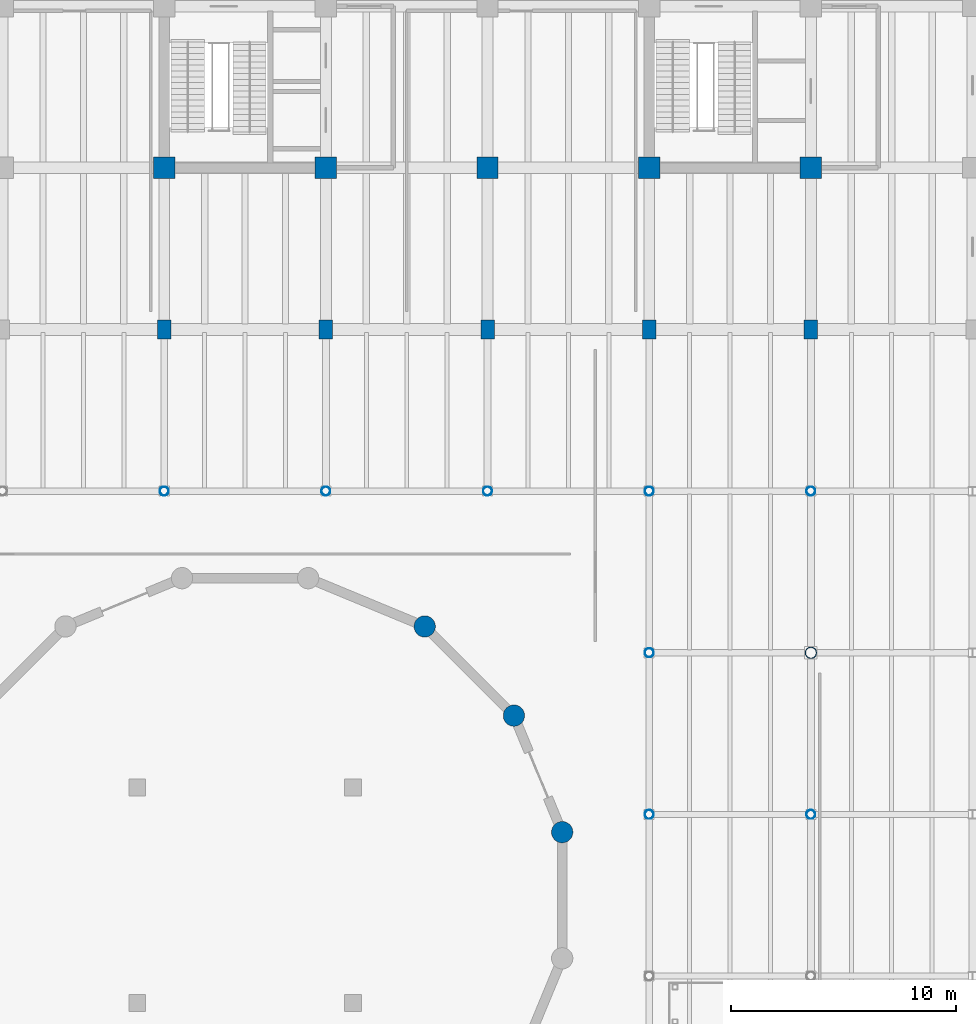
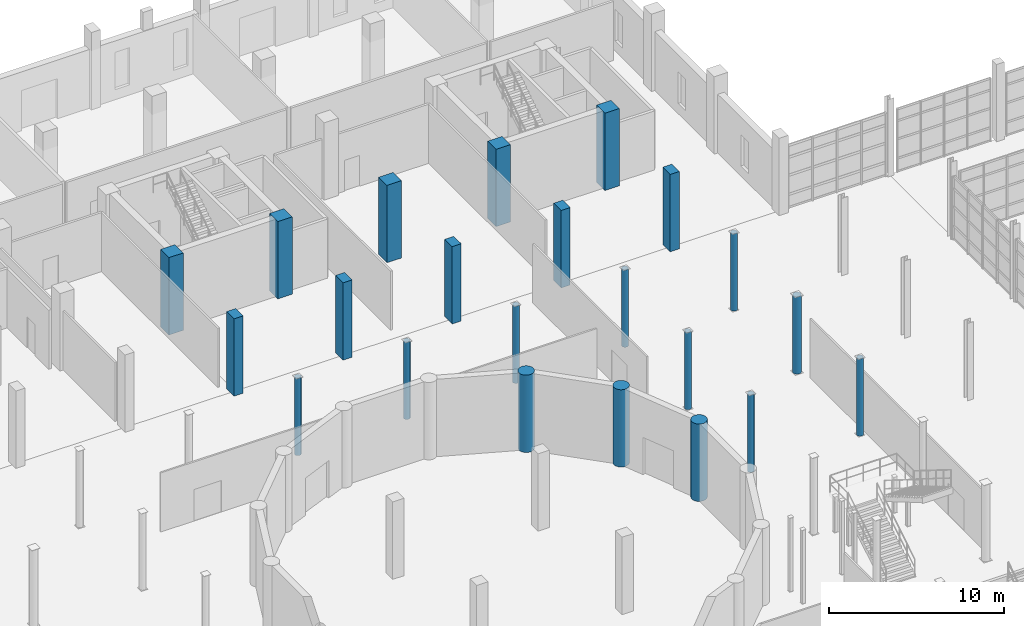
# One storey, part 12 of 79: 22 columns.
"""IFC4 building model written with IfcOpenShell, lengths in metres."""

from ifc_helpers import new_model, si_unit, direction, frame, origin, origin_2d, place, context, subcontext, project, spatial, rectangle, circle, hollow_circle, extrude, material, material_profile, profile_set, type_object, element, save


model = new_model("IFC4")

# Units and contexts
model_context = context("Model", 3, precision=1e-05, world=origin(), true_north=direction((0.0, 1.0)))
body_context = subcontext(model_context, "Body", "Model", "MODEL_VIEW")
ifc_project = project(units=[si_unit("LENGTHUNIT", "METRE"), si_unit("AREAUNIT", "SQUARE_METRE"), si_unit("VOLUMEUNIT", "CUBIC_METRE"), si_unit("PLANEANGLEUNIT", "RADIAN"), si_unit("MASSUNIT", "GRAM", prefix="KILO")], contexts=[model_context])

# Site, building, storey
site_placement = place(None, origin())
site = spatial("IfcSite", under=ifc_project, at=site_placement, CompositionType="ELEMENT")
building_placement = place(site_placement, origin())
building = spatial("IfcBuilding", under=site, at=building_placement, Name="Qiaolan Assembly House", CompositionType="ELEMENT")
storey_placement = place(building_placement, origin())
storey = spatial("IfcBuildingStorey", under=building, at=storey_placement, Name="L00", CompositionType="ELEMENT", Elevation=0.0)

# Columns
ifc_material_1 = material(Name="Concrete C50/60", Category="concrete")
ifc_material_profile_1 = material_profile(ifc_material_1, circle(Radius=0.47509765625, at=origin_2d()), Name="CIRC D950")
ifc_profile_set_1 = profile_set([ifc_material_profile_1], Name="Concrete C50/60")
column_type_1 = type_object("IfcColumnType", Name="COL-DRUM-D950", PredefinedType="COLUMN", material=ifc_profile_set_1)
for number, where, z_axis, x_axis, name in (
    (1, (82.523193359375, 64.00927734375, 0.0), (0.0, 0.0, 1.0), (1.0, 0.0, 0.0), "DC-01 chamber drum pier 1 L00"),
    (2, (80.373046875, 69.2001953125, 0.0), (0.0, 0.0, 1.0), (1.0, 0.0, 0.0), "DC-01 chamber drum pier 2 L00"),
    (3, (76.400146484375, 73.173095703125, 0.0), (0.0, 0.0, 1.0), (1.0, 0.0, 0.0), "DC-01 chamber drum pier 3 L00"),
):
    element("IfcColumn", number, at=place(storey_placement, frame(where, z_axis=z_axis, x_axis=x_axis)), inside=storey, type_object=column_type_1, Name=name, PredefinedType="COLUMN", context=body_context, shape_type="SweptSolid", body=[
        extrude(circle(Radius=0.47509765625, at=origin_2d()), origin(), (0.0, 0.0, 1.0), 5.39990234375),
    ])
ifc_material_profile_2 = material_profile(ifc_material_1, rectangle(XDim=0.60009765625, YDim=0.85009765625, at=origin_2d()), Name="RC 850x600")
ifc_profile_set_2 = profile_set([ifc_material_profile_2], Name="Concrete C50/60")
column_type_2 = type_object("IfcColumnType", Name="COL-RC-850x600", PredefinedType="COLUMN", material=ifc_profile_set_2)
for number, where, z_axis, x_axis, name in (
    (4, (64.800048828125, 86.39990234375, 0.0), (0.0, 0.0, 1.0), (1.0, 0.0, 0.0), "RC-13 column NW L00"),
    (5, (72.0, 86.39990234375, 0.0), (0.0, 0.0, 1.0), (1.0, 0.0, 0.0), "RC-13 column NW L00"),
    (6, (79.199951171875, 86.39990234375, 0.0), (0.0, 0.0, 1.0), (1.0, 0.0, 0.0), "RC-13 column NW L00"),
    (7, (86.39990234375, 86.39990234375, 0.0), (0.0, 0.0, 1.0), (1.0, 0.0, 0.0), "RC-13 column NW L00"),
    (8, (93.60009765625, 86.39990234375, 0.0), (0.0, 0.0, 1.0), (1.0, 0.0, 0.0), "RC-13 column NW L00"),
):
    element("IfcColumn", number, at=place(storey_placement, frame(where, z_axis=z_axis, x_axis=x_axis)), inside=storey, type_object=column_type_2, Name=name, PredefinedType="COLUMN", context=body_context, shape_type="SweptSolid", body=[
        extrude(rectangle(XDim=0.60009765625, YDim=0.85009765625, at=origin_2d()), origin(), (0.0, 0.0, 1.0), 5.39990234375),
    ])
ifc_material_profile_3 = material_profile(ifc_material_1, rectangle(XDim=0.949951171875, YDim=0.949951171875, at=origin_2d()), Name="RC 950x950")
ifc_profile_set_3 = profile_set([ifc_material_profile_3], Name="Concrete C50/60")
column_type_3 = type_object("IfcColumnType", Name="COL-RC-950", PredefinedType="COLUMN", material=ifc_profile_set_3)
for number, where, z_axis, x_axis, name in (
    (9, (64.800048828125, 93.60009765625, 0.0), (0.0, 0.0, 1.0), (1.0, 0.0, 0.0), "RC-02 column NW L00"),
    (10, (72.0, 93.60009765625, 0.0), (0.0, 0.0, 1.0), (1.0, 0.0, 0.0), "RC-02 column NW L00"),
    (11, (79.199951171875, 93.60009765625, 0.0), (0.0, 0.0, 1.0), (1.0, 0.0, 0.0), "RC-02 column NW L00"),
    (12, (86.39990234375, 93.60009765625, 0.0), (0.0, 0.0, 1.0), (1.0, 0.0, 0.0), "RC-02 column NW L00"),
    (13, (93.60009765625, 93.60009765625, 0.0), (0.0, 0.0, 1.0), (1.0, 0.0, 0.0), "RC-02 column NW L00"),
):
    element("IfcColumn", number, at=place(storey_placement, frame(where, z_axis=z_axis, x_axis=x_axis)), inside=storey, type_object=column_type_3, Name=name, PredefinedType="COLUMN", context=body_context, shape_type="SweptSolid", body=[
        extrude(rectangle(XDim=0.949951171875, YDim=0.949951171875, at=origin_2d()), origin(), (0.0, 0.0, 1.0), 5.39990234375),
    ])
ifc_material_2 = material(Name="Steel Q355B", Category="steel")
ifc_material_profile_4 = material_profile(ifc_material_2, hollow_circle(Radius=0.203125, WallThickness=0.013916015625, at=origin_2d()), Name="CHS 406.4x14")
ifc_profile_set_4 = profile_set([ifc_material_profile_4], Name="Steel Q355B")
column_type_4 = type_object("IfcColumnType", Name="COL-STL-CHS406", PredefinedType="COLUMN", material=ifc_profile_set_4)
for number, where, z_axis, x_axis, name in (
    (14, (64.800048828125, 79.199951171875, 0.0), (0.0, 0.0, 1.0), (1.0, 0.0, 0.0), "SC-06 hall column L00"),
    (15, (72.0, 79.199951171875, 0.0), (0.0, 0.0, 1.0), (1.0, 0.0, 0.0), "SC-06 hall column L00"),
    (16, (79.199951171875, 79.199951171875, 0.0), (0.0, 0.0, 1.0), (1.0, 0.0, 0.0), "SC-06 hall column L00"),
    (17, (86.39990234375, 64.800048828125, 0.0), (0.0, 0.0, 1.0), (1.0, 0.0, 0.0), "SC-06 hall column L00"),
    (18, (86.39990234375, 72.0, 0.0), (0.0, 0.0, 1.0), (1.0, 0.0, 0.0), "SC-06 hall column L00"),
    (19, (86.39990234375, 79.199951171875, 0.0), (0.0, 0.0, 1.0), (1.0, 0.0, 0.0), "SC-06 hall column L00"),
    (20, (93.60009765625, 64.800048828125, 0.0), (0.0, 0.0, 1.0), (1.0, 0.0, 0.0), "SC-06 hall column L00"),
    (21, (93.60009765625, 79.199951171875, 0.0), (0.0, 0.0, 1.0), (1.0, 0.0, 0.0), "SC-06 hall column L00"),
):
    element("IfcColumn", number, at=place(storey_placement, frame(where, z_axis=z_axis, x_axis=x_axis)), inside=storey, type_object=column_type_4, Name=name, PredefinedType="COLUMN", context=body_context, shape_type="SweptSolid", body=[
        extrude(hollow_circle(Radius=0.203125, WallThickness=0.013916015625, at=origin_2d()), origin(), (0.0, 0.0, 1.0), 5.39990234375),
    ])
ifc_material_profile_5 = material_profile(ifc_material_2, hollow_circle(Radius=0.25390625, WallThickness=0.01611328125, at=origin_2d()), Name="CHS 508x16")
ifc_profile_set_5 = profile_set([ifc_material_profile_5], Name="Steel Q355B")
column_type_5 = type_object("IfcColumnType", Name="COL-STL-CHS508", PredefinedType="COLUMN", material=ifc_profile_set_5)
column_placement = place(storey_placement, frame((93.60009765625, 72.0, 0.0), z_axis=(0.0, 0.0, 1.0), x_axis=(1.0, 0.0, 0.0)))
element("IfcColumn", 22, at=column_placement, inside=storey, type_object=column_type_5, Name="SC-07 hall column L00", PredefinedType="COLUMN", context=body_context, shape_type="SweptSolid", body=[
    extrude(hollow_circle(Radius=0.25390625, WallThickness=0.01611328125, at=origin_2d()), origin(), (0.0, 0.0, 1.0), 5.39990234375),
])

save(model, "model.ifc")
